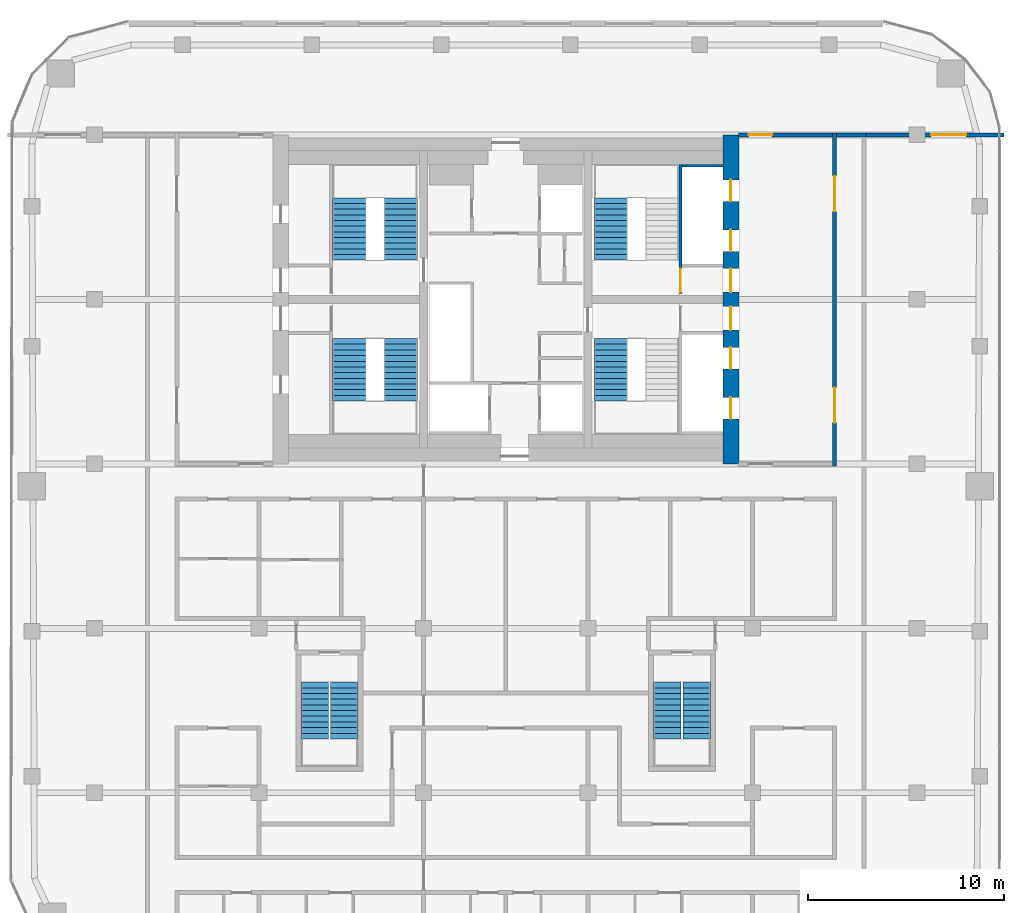
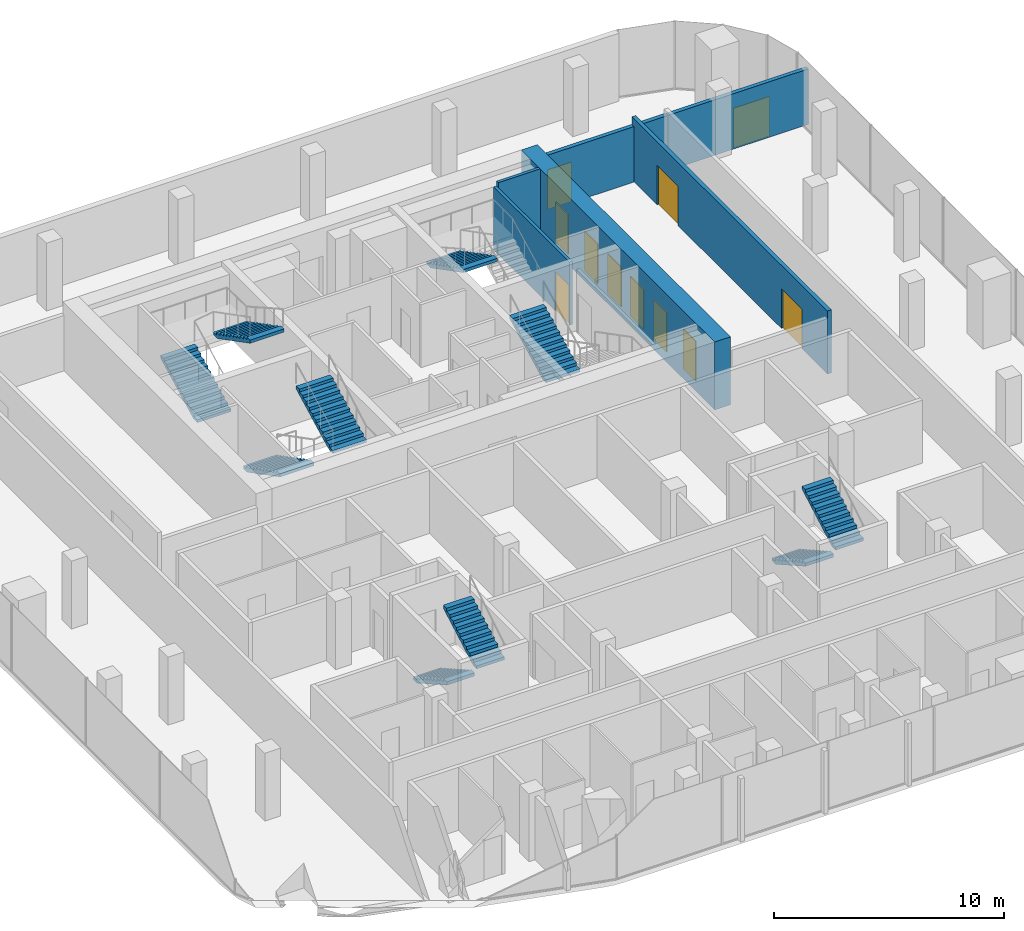
# One storey, part 18 of 20: 11 doors, 10 stair flights, 7 walls, 11 openings, 6 elements without a shape of their own.
"""IFC4 building model written with IfcOpenShell, lengths in metres."""

from ifc_helpers import new_model, si_unit, direction, frame, frame_2d, origin, place, context, subcontext, project, spatial, polyline, rectangle, outline, extrude, material, layer, layer_set, type_object, element, fill, aggregate, save


model = new_model("IFC4")

# Units and contexts
model_context = context("Model", 3, precision=1e-05, world=origin(), true_north=direction((0.0, 1.0)))
body_context = subcontext(model_context, "Body", "Model", "MODEL_VIEW")
ifc_project = project(units=[si_unit("LENGTHUNIT", "METRE"), si_unit("AREAUNIT", "SQUARE_METRE"), si_unit("VOLUMEUNIT", "CUBIC_METRE"), si_unit("PLANEANGLEUNIT", "RADIAN"), si_unit("MASSUNIT", "GRAM", prefix="KILO")], contexts=[model_context])

# Site, building, storey
site_placement = place(None, origin())
site = spatial("IfcSite", under=ifc_project, at=site_placement, CompositionType="ELEMENT")
building_placement = place(site_placement, origin())
building = spatial("IfcBuilding", under=site, at=building_placement, Name="Marenta Gate Hotel Tower", CompositionType="ELEMENT")
storey_placement = place(building_placement, frame((0.0, 0.0, 216.5)))
storey = spatial("IfcBuildingStorey", under=building, at=storey_placement, Name="L50", CompositionType="ELEMENT", Elevation=216.5)

# Wall, openings, doors
ifc_material_1 = material(Name="Concrete blockwork", Category="masonry")
ifc_layer_1 = layer(ifc_material_1, 0.199951171875)
ifc_layer_set_1 = layer_set([ifc_layer_1], Name="Concrete blockwork")
wall_type_1 = type_object("IfcWallType", Name="Core boundary wall 200 REI 180", PredefinedType="PARTITIONING", material=ifc_layer_set_1)
wall_1_placement = place(storey_placement, frame((16.800048828125, -0.10009765625, 0.0), z_axis=(0.0, 0.0, 1.0), x_axis=(0.0, 1.0, 0.0)))
wall_1 = element("IfcWall", 1, at=wall_1_placement, inside=storey, type_object=wall_type_1, Name="L50-CP-BW-E", PredefinedType="PARTITIONING", context=body_context, shape_type="SweptSolid", body=[
    extrude(rectangle(XDim=17.0, YDim=0.199951171875, at=frame_2d((8.5, 0.0))), origin(), (0.0, 0.0, 1.0), 3.340087890625),
])
opening_1_placement = place(wall_1_placement, frame((2.199951171875, 0.0, 0.0)))
opening_1 = element("IfcOpeningElement", 2, at=opening_1_placement, cuts=wall_1, Name="Opening ED-Ea-B", PredefinedType="OPENING", context=body_context, shape_type="SweptSolid", body=[
    extrude(rectangle(XDim=1.800048828125, YDim=2.10009765625, at=frame_2d((0.89990234375, 1.050048828125))), frame((0.0, 0.10009765625, 0.0), z_axis=(0.0, -1.0, 0.0), x_axis=(1.0, 0.0, 0.0)), (0.0, 0.0, 1.0), 0.199951171875),
])
opening_2_placement = place(wall_1_placement, frame((13.0, 0.0, 0.0)))
opening_2 = element("IfcOpeningElement", 3, at=opening_2_placement, cuts=wall_1, Name="Opening ED-Eb-B", PredefinedType="OPENING", context=body_context, shape_type="SweptSolid", body=[
    extrude(rectangle(XDim=1.800048828125, YDim=2.10009765625, at=frame_2d((0.89990234375, 1.050048828125))), frame((0.0, 0.10009765625, 0.0), z_axis=(0.0, -1.0, 0.0), x_axis=(1.0, 0.0, 0.0)), (0.0, 0.0, 1.0), 0.199951171875),
])
ifc_material_2 = material(Name="Steel", Category="steel")
door_type_1 = type_object("IfcDoorType", Name="Core lobby entrance door 1800x2100 EI 60", OperationType="DOUBLE_DOOR_SINGLE_SWING", PredefinedType="DOOR", material=ifc_material_2)
door_1_placement = place(opening_1_placement, origin())
door_1 = element("IfcDoor", 4, at=door_1_placement, inside=storey, type_object=door_type_1, Name="ED-Ea-B", OperationType="DOUBLE_DOOR_SINGLE_SWING", OverallHeight=2.10009765625, OverallWidth=1.800048828125, PredefinedType="DOOR", context=body_context, shape_type="SweptSolid", body=[
    extrude(rectangle(XDim=1.800048828125, YDim=2.10009765625, at=frame_2d((0.89990234375, 1.050048828125))), frame((0.0, 0.02490234375, 0.0), z_axis=(0.0, -1.0, 0.0), x_axis=(1.0, 0.0, 0.0)), (0.0, 0.0, 1.0), 0.050048828125),
])
fill(opening_1, door_1)
door_2_placement = place(opening_2_placement, origin())
door_2 = element("IfcDoor", 5, at=door_2_placement, inside=storey, type_object=door_type_1, Name="ED-Eb-B", OperationType="DOUBLE_DOOR_SINGLE_SWING", OverallHeight=2.10009765625, OverallWidth=1.800048828125, PredefinedType="DOOR", context=body_context, shape_type="SweptSolid", body=[
    extrude(rectangle(XDim=1.800048828125, YDim=2.10009765625, at=frame_2d((0.89990234375, 1.050048828125))), frame((0.0, 0.02490234375, 0.0), z_axis=(0.0, -1.0, 0.0), x_axis=(1.0, 0.0, 0.0)), (0.0, 0.0, 1.0), 0.050048828125),
])
fill(opening_2, door_2)

# Wall, opening, door
wall_2_placement = place(storey_placement, frame((11.89990234375, 16.800048828125, 0.0), z_axis=(0.0, 0.0, 1.0), x_axis=(1.0, 0.0, 0.0)))
wall_2 = element("IfcWall", 6, at=wall_2_placement, inside=storey, type_object=wall_type_1, Name="L50-CP-EW-EN", PredefinedType="PARTITIONING", context=body_context, shape_type="SweptSolid", body=[
    extrude(rectangle(XDim=4.800048828125, YDim=0.199951171875, at=frame_2d((2.39990234375, 0.0))), origin(), (0.0, 0.0, 1.0), 2.93994140625),
])
opening_3_placement = place(wall_2_placement, frame((0.5, 0.0, 0.0)))
opening_3 = element("IfcOpeningElement", 7, at=opening_3_placement, cuts=wall_2, Name="Opening RFD-EN", PredefinedType="OPENING", context=body_context, shape_type="SweptSolid", body=[
    extrude(rectangle(XDim=1.199951171875, YDim=2.10009765625, at=frame_2d((0.60009765625, 1.050048828125))), frame((0.0, 0.10009765625, 0.0), z_axis=(0.0, -1.0, 0.0), x_axis=(1.0, 0.0, 0.0)), (0.0, 0.0, 1.0), 0.199951171875),
])
ifc_material_3 = material(Name="Steel", Category="steel")
door_type_2 = type_object("IfcDoorType", Name="Core lobby door 1200x2100 FD60", OperationType="SINGLE_SWING_LEFT", PredefinedType="DOOR", material=ifc_material_3)
door_3_placement = place(opening_3_placement, origin())
door_3 = element("IfcDoor", 8, at=door_3_placement, inside=storey, type_object=door_type_2, Name="RFD-EN", OperationType="SINGLE_SWING_LEFT", OverallHeight=2.10009765625, OverallWidth=1.199951171875, PredefinedType="DOOR", context=body_context, shape_type="SweptSolid", body=[
    extrude(rectangle(XDim=1.199951171875, YDim=2.10009765625, at=frame_2d((0.60009765625, 1.050048828125))), frame((0.0, 0.02490234375, 0.0), z_axis=(0.0, -1.0, 0.0), x_axis=(1.0, 0.0, 0.0)), (0.0, 0.0, 1.0), 0.050048828125),
])
fill(opening_3, door_3)

# Wall
ifc_material_4 = material(Name="Concrete C40", Category="concrete")
ifc_layer_2 = layer(ifc_material_4, 0.14990234375)
ifc_layer_set_2 = layer_set([ifc_layer_2], Name="Concrete C40")
wall_type_2 = type_object("IfcWallType", Name="Core shaft wall 150 REI 180", PredefinedType="SHEAR", material=ifc_layer_set_2)
wall_3_placement = place(storey_placement, frame((9.0, 15.22509765625, 0.0), z_axis=(0.0, 0.0, 1.0), x_axis=(1.0, 0.0, 0.0)))
element("IfcWall", 9, at=wall_3_placement, inside=storey, type_object=wall_type_2, Name="L50-SHF-SW-EN-5", PredefinedType="SHEAR", context=body_context, shape_type="SweptSolid", body=[
    extrude(rectangle(XDim=2.10009765625, YDim=0.14990234375, at=frame_2d((1.050048828125, 0.0))), origin(), (0.0, 0.0, 1.0), 3.60009765625),
])

# Wall, opening, door
ifc_material_5 = material(Name="Concrete C40", Category="concrete")
ifc_layer_3 = layer(ifc_material_5, 0.14990234375)
ifc_layer_set_3 = layer_set([ifc_layer_3], Name="Concrete C40")
wall_type_3 = type_object("IfcWallType", Name="Core stair enclosure wall 150 REI 180", PredefinedType="SHEAR", material=ifc_layer_set_3)
wall_4_placement = place(storey_placement, frame((8.925048828125, 8.699951171875, 0.0), z_axis=(0.0, 0.0, 1.0), x_axis=(0.0, 1.0, 0.0)))
wall_4 = element("IfcWall", 10, at=wall_4_placement, inside=storey, type_object=wall_type_3, Name="L50-SHF-SW-EN-3", PredefinedType="SHEAR", context=body_context, shape_type="SweptSolid", body=[
    extrude(rectangle(XDim=6.60009765625, YDim=0.14990234375, at=frame_2d((3.300048828125, 0.0))), origin(), (0.0, 0.0, 1.0), 3.340087890625),
])
opening_4_placement = place(wall_4_placement, frame((0.074951171875, 0.0, 0.0)))
opening_4 = element("IfcOpeningElement", 11, at=opening_4_placement, cuts=wall_4, Name="Opening SD-EN", PredefinedType="OPENING", context=body_context, shape_type="SweptSolid", body=[
    extrude(rectangle(XDim=1.199951171875, YDim=2.10009765625, at=frame_2d((0.60009765625, 1.050048828125))), frame((0.0, 0.074951171875, 0.0), z_axis=(0.0, -1.0, 0.0), x_axis=(1.0, 0.0, 0.0)), (0.0, 0.0, 1.0), 0.14990234375),
])
ifc_material_6 = material(Name="Steel", Category="steel")
door_type_3 = type_object("IfcDoorType", Name="Core stair door 1200x2100 FD60", OperationType="SINGLE_SWING_LEFT", PredefinedType="DOOR", material=ifc_material_6)
door_4_placement = place(opening_4_placement, origin())
door_4 = element("IfcDoor", 12, at=door_4_placement, inside=storey, type_object=door_type_3, Name="SD-EN", OperationType="SINGLE_SWING_LEFT", OverallHeight=2.10009765625, OverallWidth=1.199951171875, PredefinedType="DOOR", context=body_context, shape_type="SweptSolid", body=[
    extrude(rectangle(XDim=1.199951171875, YDim=2.10009765625, at=frame_2d((0.60009765625, 1.050048828125))), frame((0.0, 0.02490234375, 0.0), z_axis=(0.0, -1.0, 0.0), x_axis=(1.0, 0.0, 0.0)), (0.0, 0.0, 1.0), 0.050048828125),
])
fill(opening_4, door_4)

# Wall, openings, doors
ifc_material_7 = material(Name="Concrete C60", Category="concrete")
ifc_layer_4 = layer(ifc_material_7, 0.800048828125)
ifc_layer_set_4 = layer_set([ifc_layer_4], Name="Concrete C60")
wall_type_4 = type_object("IfcWallType", Name="Core wall 800 C60", PredefinedType="SHEAR", material=ifc_layer_set_4)
wall_5_placement = place(storey_placement, frame((11.5, 0.0, 0.0), z_axis=(0.0, 0.0, 1.0), x_axis=(0.0, 1.0, 0.0)))
wall_5 = element("IfcWall", 13, at=wall_5_placement, inside=storey, type_object=wall_type_4, Name="L50-CORE-E", PredefinedType="SHEAR", context=body_context, shape_type="SweptSolid", body=[
    extrude(rectangle(XDim=16.800048828125, YDim=0.800048828125, at=frame_2d((8.39990234375, 0.0))), origin(), (0.0, 0.0, 1.0), 3.60009765625),
])
opening_5_placement = place(wall_5_placement, frame((2.300048828125, 0.0, 0.0)))
opening_5 = element("IfcOpeningElement", 14, at=opening_5_placement, cuts=wall_5, Name="Opening LD-HR1", PredefinedType="OPENING", context=body_context, shape_type="SweptSolid", body=[
    extrude(rectangle(XDim=1.10009765625, YDim=2.10009765625, at=frame_2d((0.550048828125, 1.050048828125))), frame((0.0, 0.39990234375, 0.0), z_axis=(0.0, -1.0, 0.0), x_axis=(1.0, 0.0, 0.0)), (0.0, 0.0, 1.0), 0.800048828125),
])
opening_6_placement = place(wall_5_placement, frame((4.85009765625, 0.0, 0.0)))
opening_6 = element("IfcOpeningElement", 15, at=opening_6_placement, cuts=wall_5, Name="Opening LD-HR2", PredefinedType="OPENING", context=body_context, shape_type="SweptSolid", body=[
    extrude(rectangle(XDim=1.10009765625, YDim=2.10009765625, at=frame_2d((0.550048828125, 1.050048828125))), frame((0.0, 0.39990234375, 0.0), z_axis=(0.0, -1.0, 0.0), x_axis=(1.0, 0.0, 0.0)), (0.0, 0.0, 1.0), 0.800048828125),
])
opening_7_placement = place(wall_5_placement, frame((6.824951171875, 0.0, 0.0)))
opening_7 = element("IfcOpeningElement", 16, at=opening_7_placement, cuts=wall_5, Name="Opening PD-ES", PredefinedType="OPENING", context=body_context, shape_type="SweptSolid", body=[
    extrude(rectangle(XDim=1.199951171875, YDim=2.10009765625, at=frame_2d((0.60009765625, 1.050048828125))), frame((0.0, 0.39990234375, 0.0), z_axis=(0.0, -1.0, 0.0), x_axis=(1.0, 0.0, 0.0)), (0.0, 0.0, 1.0), 0.800048828125),
])
opening_8_placement = place(wall_5_placement, frame((13.39990234375, 0.0, 0.0)))
opening_8 = element("IfcOpeningElement", 17, at=opening_8_placement, cuts=wall_5, Name="Opening LD-HR4", PredefinedType="OPENING", context=body_context, shape_type="SweptSolid", body=[
    extrude(rectangle(XDim=1.10009765625, YDim=2.10009765625, at=frame_2d((0.550048828125, 1.050048828125))), frame((0.0, 0.39990234375, 0.0), z_axis=(0.0, -1.0, 0.0), x_axis=(1.0, 0.0, 0.0)), (0.0, 0.0, 1.0), 0.800048828125),
])
opening_9_placement = place(wall_5_placement, frame((10.85009765625, 0.0, 0.0)))
opening_9 = element("IfcOpeningElement", 18, at=opening_9_placement, cuts=wall_5, Name="Opening LD-HR3", PredefinedType="OPENING", context=body_context, shape_type="SweptSolid", body=[
    extrude(rectangle(XDim=1.10009765625, YDim=2.10009765625, at=frame_2d((0.550048828125, 1.050048828125))), frame((0.0, 0.39990234375, 0.0), z_axis=(0.0, -1.0, 0.0), x_axis=(1.0, 0.0, 0.0)), (0.0, 0.0, 1.0), 0.800048828125),
])
opening_10_placement = place(wall_5_placement, frame((8.77490234375, 0.0, 0.0)))
opening_10 = element("IfcOpeningElement", 19, at=opening_10_placement, cuts=wall_5, Name="Opening PD-EN", PredefinedType="OPENING", context=body_context, shape_type="SweptSolid", body=[
    extrude(rectangle(XDim=1.199951171875, YDim=2.10009765625, at=frame_2d((0.60009765625, 1.050048828125))), frame((0.0, 0.39990234375, 0.0), z_axis=(0.0, -1.0, 0.0), x_axis=(1.0, 0.0, 0.0)), (0.0, 0.0, 1.0), 0.800048828125),
])
ifc_material_8 = material(Name="Steel", Category="steel")
door_type_4 = type_object("IfcDoorType", Name="Core lift landing door 1100x2100 E 60", OperationType="SLIDING_TO_LEFT", PredefinedType="DOOR", material=ifc_material_8)
door_5_placement = place(opening_5_placement, origin())
door_5 = element("IfcDoor", 20, at=door_5_placement, inside=storey, type_object=door_type_4, Name="LD-HR1", OperationType="SLIDING_TO_LEFT", OverallHeight=2.10009765625, OverallWidth=1.10009765625, PredefinedType="DOOR", context=body_context, shape_type="SweptSolid", body=[
    extrude(rectangle(XDim=1.10009765625, YDim=2.10009765625, at=frame_2d((0.550048828125, 1.050048828125))), frame((0.0, 0.02490234375, 0.0), z_axis=(0.0, -1.0, 0.0), x_axis=(1.0, 0.0, 0.0)), (0.0, 0.0, 1.0), 0.050048828125),
])
fill(opening_5, door_5)
door_6_placement = place(opening_6_placement, origin())
door_6 = element("IfcDoor", 21, at=door_6_placement, inside=storey, type_object=door_type_4, Name="LD-HR2", OperationType="SLIDING_TO_LEFT", OverallHeight=2.10009765625, OverallWidth=1.10009765625, PredefinedType="DOOR", context=body_context, shape_type="SweptSolid", body=[
    extrude(rectangle(XDim=1.10009765625, YDim=2.10009765625, at=frame_2d((0.550048828125, 1.050048828125))), frame((0.0, 0.02490234375, 0.0), z_axis=(0.0, -1.0, 0.0), x_axis=(1.0, 0.0, 0.0)), (0.0, 0.0, 1.0), 0.050048828125),
])
fill(opening_6, door_6)
door_7_placement = place(opening_8_placement, origin())
door_7 = element("IfcDoor", 22, at=door_7_placement, inside=storey, type_object=door_type_4, Name="LD-HR4", OperationType="SLIDING_TO_LEFT", OverallHeight=2.10009765625, OverallWidth=1.10009765625, PredefinedType="DOOR", context=body_context, shape_type="SweptSolid", body=[
    extrude(rectangle(XDim=1.10009765625, YDim=2.10009765625, at=frame_2d((0.550048828125, 1.050048828125))), frame((0.0, 0.02490234375, 0.0), z_axis=(0.0, -1.0, 0.0), x_axis=(1.0, 0.0, 0.0)), (0.0, 0.0, 1.0), 0.050048828125),
])
fill(opening_8, door_7)
door_8_placement = place(opening_9_placement, origin())
door_8 = element("IfcDoor", 23, at=door_8_placement, inside=storey, type_object=door_type_4, Name="LD-HR3", OperationType="SLIDING_TO_LEFT", OverallHeight=2.10009765625, OverallWidth=1.10009765625, PredefinedType="DOOR", context=body_context, shape_type="SweptSolid", body=[
    extrude(rectangle(XDim=1.10009765625, YDim=2.10009765625, at=frame_2d((0.550048828125, 1.050048828125))), frame((0.0, 0.02490234375, 0.0), z_axis=(0.0, -1.0, 0.0), x_axis=(1.0, 0.0, 0.0)), (0.0, 0.0, 1.0), 0.050048828125),
])
fill(opening_9, door_8)
door_9_placement = place(opening_7_placement, origin())
door_9 = element("IfcDoor", 24, at=door_9_placement, inside=storey, type_object=door_type_2, Name="PD-ES", OperationType="SINGLE_SWING_LEFT", OverallHeight=2.10009765625, OverallWidth=1.199951171875, PredefinedType="DOOR", context=body_context, shape_type="SweptSolid", body=[
    extrude(rectangle(XDim=1.199951171875, YDim=2.10009765625, at=frame_2d((0.60009765625, 1.050048828125))), frame((0.0, 0.02490234375, 0.0), z_axis=(0.0, -1.0, 0.0), x_axis=(1.0, 0.0, 0.0)), (0.0, 0.0, 1.0), 0.050048828125),
])
fill(opening_7, door_9)
door_10_placement = place(opening_10_placement, origin())
door_10 = element("IfcDoor", 25, at=door_10_placement, inside=storey, type_object=door_type_2, Name="PD-EN", OperationType="SINGLE_SWING_LEFT", OverallHeight=2.10009765625, OverallWidth=1.199951171875, PredefinedType="DOOR", context=body_context, shape_type="SweptSolid", body=[
    extrude(rectangle(XDim=1.199951171875, YDim=2.10009765625, at=frame_2d((0.60009765625, 1.050048828125))), frame((0.0, 0.02490234375, 0.0), z_axis=(0.0, -1.0, 0.0), x_axis=(1.0, 0.0, 0.0)), (0.0, 0.0, 1.0), 0.050048828125),
])
fill(opening_10, door_10)

# Wall
ifc_material_9 = material(Name="Concrete blockwork", Category="masonry")
ifc_layer_5 = layer(ifc_material_9, 0.199951171875)
ifc_layer_set_5 = layer_set([ifc_layer_5], Name="Concrete blockwork")
wall_type_5 = type_object("IfcWallType", Name="Room corridor wall 200 REI 180", PredefinedType="PARTITIONING", material=ifc_layer_set_5)
wall_6_placement = place(storey_placement, frame((16.89990234375, 16.800048828125, 0.0), z_axis=(0.0, 0.0, 1.0), x_axis=(1.0, 0.0, 0.0)))
element("IfcWall", 26, at=wall_6_placement, inside=storey, type_object=wall_type_5, Name="L50-PTN-W067", PredefinedType="PARTITIONING", context=body_context, shape_type="SweptSolid", body=[
    extrude(rectangle(XDim=1.5, YDim=0.199951171875, at=frame_2d((0.75, 0.0))), origin(), (0.0, 0.0, 1.0), 2.93994140625),
])

# Wall, opening, door
ifc_material_10 = material(Name="Concrete blockwork", Category="masonry")
ifc_layer_6 = layer(ifc_material_10, 0.199951171875)
ifc_layer_set_6 = layer_set([ifc_layer_6], Name="Concrete blockwork")
wall_type_6 = type_object("IfcWallType", Name="Room party wall 200 REI 180", PredefinedType="PARTITIONING", material=ifc_layer_set_6)
wall_7_placement = place(storey_placement, frame((18.39990234375, 16.800048828125, 0.0), z_axis=(0.0, 0.0, 1.0), x_axis=(1.0, 0.0, 0.0)))
wall_7 = element("IfcWall", 27, at=wall_7_placement, inside=storey, type_object=wall_type_6, Name="L50-PTN-W065", PredefinedType="PARTITIONING", context=body_context, shape_type="SweptSolid", body=[
    extrude(rectangle(XDim=7.047119140625, YDim=0.199951171875, at=frame_2d((3.5234375, 0.0))), origin(), (0.0, 0.0, 1.0), 2.93994140625),
])
opening_11_placement = place(wall_7_placement, frame((3.323974609375, 0.0, 0.0)))
opening_11 = element("IfcOpeningElement", 28, at=opening_11_placement, cuts=wall_7, Name="Opening G18-32", PredefinedType="OPENING", context=body_context, shape_type="SweptSolid", body=[
    extrude(rectangle(XDim=1.800048828125, YDim=2.10009765625, at=frame_2d((0.89990234375, 1.050048828125))), frame((0.0, 0.10009765625, 0.0), z_axis=(0.0, -1.0, 0.0), x_axis=(1.0, 0.0, 0.0)), (0.0, 0.0, 1.0), 0.199951171875),
])
ifc_material_11 = material(Name="Timber door leaf", Category="wood")
door_type_5 = type_object("IfcDoorType", Name="Room amenity door 1800x2100 EI 60", OperationType="DOUBLE_DOOR_SINGLE_SWING", PredefinedType="DOOR", material=ifc_material_11)
door_11_placement = place(opening_11_placement, origin())
door_11 = element("IfcDoor", 29, at=door_11_placement, inside=storey, type_object=door_type_5, Name="L50-PD-D032", OperationType="DOUBLE_DOOR_SINGLE_SWING", OverallHeight=2.10009765625, OverallWidth=1.800048828125, PredefinedType="DOOR", context=body_context, shape_type="SweptSolid", body=[
    extrude(rectangle(XDim=1.800048828125, YDim=2.10009765625, at=frame_2d((0.89990234375, 1.050048828125))), frame((0.0, 0.02490234375, 0.0), z_axis=(0.0, -1.0, 0.0), x_axis=(1.0, 0.0, 0.0)), (0.0, 0.0, 1.0), 0.050048828125),
])
fill(opening_11, door_11)

# Stair, stair flights
ifc_material_12 = material(Name="Concrete C40", Category="concrete")
stair_type_1 = type_object("IfcStairType", Name="Core exit stair 1700 wide", PredefinedType="HALF_TURN_STAIR", material=ifc_material_12)
stair_1_placement = place(storey_placement, origin())
stair_1 = element("IfcStair", 30, at=stair_1_placement, inside=storey, type_object=stair_type_1, Name="Exit stair 1", PredefinedType="HALF_TURN_STAIR")
ifc_material_13 = material(Name="Concrete C40", Category="concrete")
stair_flight_type_1 = type_object("IfcStairFlightType", Name="Core stair flight 1700 riser 150.0 going 290", PredefinedType="STRAIGHT", material=ifc_material_13)
stair_flight_1_placement = place(storey_placement, frame((-8.0, 6.39990234375, 0.0), z_axis=(0.0, 0.0, 1.0), x_axis=(0.0, -1.0, 0.0)))
stair_flight_1 = element("IfcStairFlight", 31, at=stair_flight_1_placement, type_object=stair_flight_type_1, Name="ST1 flight 1", NumberOfRisers=12, NumberOfTreads=11, PredefinedType="STRAIGHT", RiserHeight=0.15, TreadLength=0.29, context=body_context, shape_type="SweptSolid", body=[
    extrude(outline(polyline([(0.0, 0.0), (0.0, 0.14990234375), (0.2900390625, 0.14990234375), (0.2900390625, 0.300048828125), (0.580078125, 0.300048828125), (0.580078125, 0.449951171875), (0.8701171875, 0.449951171875), (0.8701171875, 0.60009765625), (1.159912109375, 0.60009765625), (1.159912109375, 0.75), (1.449951171875, 0.75), (1.449951171875, 0.89990234375), (1.739990234375, 0.89990234375), (1.739990234375, 1.050048828125), (2.030029296875, 1.050048828125), (2.030029296875, 1.199951171875), (2.320068359375, 1.199951171875), (2.320068359375, 1.35009765625), (2.610107421875, 1.35009765625), (2.610107421875, 1.5), (2.89990234375, 1.5), (2.89990234375, 1.64990234375), (3.18994140625, 1.64990234375), (3.18994140625, 1.800048828125), (3.18994140625, 1.481201171875), (0.326171875, 0.0), (0.0, 0.0)])), frame((0.0, 0.85009765625, 0.0), z_axis=(0.0, -1.0, 0.0), x_axis=(1.0, 0.0, 0.0)), (0.0, 0.0, 1.0), 1.699951171875),
])
stair_flight_2_placement = place(storey_placement, frame((-5.35009765625, 3.2099609375, 1.800048828125), z_axis=(0.0, 0.0, 1.0), x_axis=(0.0, 1.0, 0.0)))
stair_flight_2 = element("IfcStairFlight", 32, at=stair_flight_2_placement, type_object=stair_flight_type_1, Name="ST1 flight 2", NumberOfRisers=12, NumberOfTreads=11, PredefinedType="STRAIGHT", RiserHeight=0.15, TreadLength=0.29, context=body_context, shape_type="SweptSolid", body=[
    extrude(outline(polyline([(0.0, 0.0), (0.0, 0.14990234375), (0.2900390625, 0.14990234375), (0.2900390625, 0.300048828125), (0.580078125, 0.300048828125), (0.580078125, 0.449951171875), (0.8701171875, 0.449951171875), (0.8701171875, 0.60009765625), (1.159912109375, 0.60009765625), (1.159912109375, 0.75), (1.449951171875, 0.75), (1.449951171875, 0.89990234375), (1.739990234375, 0.89990234375), (1.739990234375, 1.050048828125), (2.030029296875, 1.050048828125), (2.030029296875, 1.199951171875), (2.320068359375, 1.199951171875), (2.320068359375, 1.35009765625), (2.610107421875, 1.35009765625), (2.610107421875, 1.5), (2.89990234375, 1.5), (2.89990234375, 1.64990234375), (3.18994140625, 1.64990234375), (3.18994140625, 1.800048828125), (3.18994140625, 1.481201171875), (0.326171875, 0.0), (0.0, 0.0)])), frame((0.0, 0.85009765625, 0.0), z_axis=(0.0, -1.0, 0.0), x_axis=(1.0, 0.0, 0.0)), (0.0, 0.0, 1.0), 1.699951171875),
])
aggregate(stair_1, [stair_flight_1, stair_flight_2])

stair_2_placement = place(storey_placement, origin())
stair_2 = element("IfcStair", 33, at=stair_2_placement, inside=storey, type_object=stair_type_1, Name="Exit stair 2", PredefinedType="HALF_TURN_STAIR")
stair_flight_3_placement = place(storey_placement, frame((-8.0, 10.39990234375, 0.0), z_axis=(0.0, 0.0, 1.0), x_axis=(0.0, 1.0, 0.0)))
stair_flight_3 = element("IfcStairFlight", 34, at=stair_flight_3_placement, type_object=stair_flight_type_1, Name="ST2 flight 1", NumberOfRisers=12, NumberOfTreads=11, PredefinedType="STRAIGHT", RiserHeight=0.15, TreadLength=0.29, context=body_context, shape_type="SweptSolid", body=[
    extrude(outline(polyline([(0.0, 0.0), (0.0, 0.14990234375), (0.2900390625, 0.14990234375), (0.2900390625, 0.300048828125), (0.580078125, 0.300048828125), (0.580078125, 0.449951171875), (0.8701171875, 0.449951171875), (0.8701171875, 0.60009765625), (1.159912109375, 0.60009765625), (1.159912109375, 0.75), (1.449951171875, 0.75), (1.449951171875, 0.89990234375), (1.739990234375, 0.89990234375), (1.739990234375, 1.050048828125), (2.030029296875, 1.050048828125), (2.030029296875, 1.199951171875), (2.320068359375, 1.199951171875), (2.320068359375, 1.35009765625), (2.610107421875, 1.35009765625), (2.610107421875, 1.5), (2.89990234375, 1.5), (2.89990234375, 1.64990234375), (3.18994140625, 1.64990234375), (3.18994140625, 1.800048828125), (3.18994140625, 1.481201171875), (0.326171875, 0.0), (0.0, 0.0)])), frame((0.0, 0.85009765625, 0.0), z_axis=(0.0, -1.0, 0.0), x_axis=(1.0, 0.0, 0.0)), (0.0, 0.0, 1.0), 1.699951171875),
])
stair_flight_4_placement = place(storey_placement, frame((-5.35009765625, 13.590087890625, 1.800048828125), z_axis=(0.0, 0.0, 1.0), x_axis=(0.0, -1.0, 0.0)))
stair_flight_4 = element("IfcStairFlight", 35, at=stair_flight_4_placement, type_object=stair_flight_type_1, Name="ST2 flight 2", NumberOfRisers=12, NumberOfTreads=11, PredefinedType="STRAIGHT", RiserHeight=0.15, TreadLength=0.29, context=body_context, shape_type="SweptSolid", body=[
    extrude(outline(polyline([(0.0, 0.0), (0.0, 0.14990234375), (0.2900390625, 0.14990234375), (0.2900390625, 0.300048828125), (0.580078125, 0.300048828125), (0.580078125, 0.449951171875), (0.8701171875, 0.449951171875), (0.8701171875, 0.60009765625), (1.159912109375, 0.60009765625), (1.159912109375, 0.75), (1.449951171875, 0.75), (1.449951171875, 0.89990234375), (1.739990234375, 0.89990234375), (1.739990234375, 1.050048828125), (2.030029296875, 1.050048828125), (2.030029296875, 1.199951171875), (2.320068359375, 1.199951171875), (2.320068359375, 1.35009765625), (2.610107421875, 1.35009765625), (2.610107421875, 1.5), (2.89990234375, 1.5), (2.89990234375, 1.64990234375), (3.18994140625, 1.64990234375), (3.18994140625, 1.800048828125), (3.18994140625, 1.481201171875), (0.326171875, 0.0), (0.0, 0.0)])), frame((0.0, 0.85009765625, 0.0), z_axis=(0.0, -1.0, 0.0), x_axis=(1.0, 0.0, 0.0)), (0.0, 0.0, 1.0), 1.699951171875),
])
aggregate(stair_2, [stair_flight_3, stair_flight_4])

# Stair, stair flight
stair_3_placement = place(storey_placement, origin())
stair_3 = element("IfcStair", 36, at=stair_3_placement, inside=storey, type_object=stair_type_1, Name="Exit stair 3", PredefinedType="HALF_TURN_STAIR")
stair_flight_5_placement = place(storey_placement, frame((5.35009765625, 3.2099609375, 1.800048828125), z_axis=(0.0, 0.0, 1.0), x_axis=(0.0, 1.0, 0.0)))
stair_flight_5 = element("IfcStairFlight", 37, at=stair_flight_5_placement, type_object=stair_flight_type_1, Name="ST3 flight 2", NumberOfRisers=12, NumberOfTreads=11, PredefinedType="STRAIGHT", RiserHeight=0.15, TreadLength=0.29, context=body_context, shape_type="SweptSolid", body=[
    extrude(outline(polyline([(0.0, 0.0), (0.0, 0.14990234375), (0.2900390625, 0.14990234375), (0.2900390625, 0.300048828125), (0.580078125, 0.300048828125), (0.580078125, 0.449951171875), (0.8701171875, 0.449951171875), (0.8701171875, 0.60009765625), (1.159912109375, 0.60009765625), (1.159912109375, 0.75), (1.449951171875, 0.75), (1.449951171875, 0.89990234375), (1.739990234375, 0.89990234375), (1.739990234375, 1.050048828125), (2.030029296875, 1.050048828125), (2.030029296875, 1.199951171875), (2.320068359375, 1.199951171875), (2.320068359375, 1.35009765625), (2.610107421875, 1.35009765625), (2.610107421875, 1.5), (2.89990234375, 1.5), (2.89990234375, 1.64990234375), (3.18994140625, 1.64990234375), (3.18994140625, 1.800048828125), (3.18994140625, 1.481201171875), (0.326171875, 0.0), (0.0, 0.0)])), frame((0.0, 0.85009765625, 0.0), z_axis=(0.0, -1.0, 0.0), x_axis=(1.0, 0.0, 0.0)), (0.0, 0.0, 1.0), 1.699951171875),
])
aggregate(stair_3, [stair_flight_5])

stair_4_placement = place(storey_placement, origin())
stair_4 = element("IfcStair", 38, at=stair_4_placement, inside=storey, type_object=stair_type_1, Name="Exit stair 4", PredefinedType="HALF_TURN_STAIR")
stair_flight_6_placement = place(storey_placement, frame((5.35009765625, 13.590087890625, 1.800048828125), z_axis=(0.0, 0.0, 1.0), x_axis=(0.0, -1.0, 0.0)))
stair_flight_6 = element("IfcStairFlight", 39, at=stair_flight_6_placement, type_object=stair_flight_type_1, Name="ST4 flight 2", NumberOfRisers=12, NumberOfTreads=11, PredefinedType="STRAIGHT", RiserHeight=0.15, TreadLength=0.29, context=body_context, shape_type="SweptSolid", body=[
    extrude(outline(polyline([(0.0, 0.0), (0.0, 0.14990234375), (0.2900390625, 0.14990234375), (0.2900390625, 0.300048828125), (0.580078125, 0.300048828125), (0.580078125, 0.449951171875), (0.8701171875, 0.449951171875), (0.8701171875, 0.60009765625), (1.159912109375, 0.60009765625), (1.159912109375, 0.75), (1.449951171875, 0.75), (1.449951171875, 0.89990234375), (1.739990234375, 0.89990234375), (1.739990234375, 1.050048828125), (2.030029296875, 1.050048828125), (2.030029296875, 1.199951171875), (2.320068359375, 1.199951171875), (2.320068359375, 1.35009765625), (2.610107421875, 1.35009765625), (2.610107421875, 1.5), (2.89990234375, 1.5), (2.89990234375, 1.64990234375), (3.18994140625, 1.64990234375), (3.18994140625, 1.800048828125), (3.18994140625, 1.481201171875), (0.326171875, 0.0), (0.0, 0.0)])), frame((0.0, 0.85009765625, 0.0), z_axis=(0.0, -1.0, 0.0), x_axis=(1.0, 0.0, 0.0)), (0.0, 0.0, 1.0), 1.699951171875),
])
aggregate(stair_4, [stair_flight_6])

# Stair, stair flights
ifc_material_14 = material(Name="Concrete C40", Category="concrete")
stair_type_2 = type_object("IfcStairType", Name="Remote exit stair 1400 wide", PredefinedType="HALF_TURN_STAIR", material=ifc_material_14)
stair_5_placement = place(storey_placement, origin())
stair_5 = element("IfcStair", 40, at=stair_5_placement, inside=storey, type_object=stair_type_2, Name="Exit stair RS-Z3-1", PredefinedType="HALF_TURN_STAIR")
ifc_material_15 = material(Name="Concrete C40", Category="concrete")
stair_flight_type_2 = type_object("IfcStairFlightType", Name="Remote stair flight 1400 riser 163.6 going 290", PredefinedType="STRAIGHT", material=ifc_material_15)
stair_flight_7_placement = place(storey_placement, frame((-9.75, -11.14990234375, 0.0), z_axis=(0.0, 0.0, 1.0), x_axis=(0.0, -1.0, 0.0)))
stair_flight_7 = element("IfcStairFlight", 41, at=stair_flight_7_placement, type_object=stair_flight_type_2, Name="RS-Z3-1 flight 1", NumberOfRisers=11, NumberOfTreads=10, PredefinedType="STRAIGHT", RiserHeight=0.163636, TreadLength=0.29, context=body_context, shape_type="SweptSolid", body=[
    extrude(outline(polyline([(0.0, 0.0), (0.0, 0.16357421875), (0.2900390625, 0.16357421875), (0.2900390625, 0.327392578125), (0.580078125, 0.327392578125), (0.580078125, 0.490966796875), (0.8701171875, 0.490966796875), (0.8701171875, 0.654541015625), (1.159912109375, 0.654541015625), (1.159912109375, 0.818115234375), (1.449951171875, 0.818115234375), (1.449951171875, 0.98193359375), (1.739990234375, 0.98193359375), (1.739990234375, 1.1455078125), (2.030029296875, 1.1455078125), (2.030029296875, 1.30908203125), (2.320068359375, 1.30908203125), (2.320068359375, 1.47265625), (2.610107421875, 1.47265625), (2.610107421875, 1.636474609375), (2.89990234375, 1.636474609375), (2.89990234375, 1.800048828125), (2.89990234375, 1.46435546875), (0.304931640625, 0.0), (0.0, 0.0)])), frame((0.0, 0.699951171875, 0.0), z_axis=(0.0, -1.0, 0.0), x_axis=(1.0, 0.0, 0.0)), (0.0, 0.0, 1.0), 1.39990234375),
])
stair_flight_8_placement = place(storey_placement, frame((-8.25, -14.050048828125, 1.800048828125), z_axis=(0.0, 0.0, 1.0), x_axis=(0.0, 1.0, 0.0)))
stair_flight_8 = element("IfcStairFlight", 42, at=stair_flight_8_placement, type_object=stair_flight_type_2, Name="RS-Z3-1 flight 2", NumberOfRisers=11, NumberOfTreads=10, PredefinedType="STRAIGHT", RiserHeight=0.163636, TreadLength=0.29, context=body_context, shape_type="SweptSolid", body=[
    extrude(outline(polyline([(0.0, 0.0), (0.0, 0.16357421875), (0.2900390625, 0.16357421875), (0.2900390625, 0.327392578125), (0.580078125, 0.327392578125), (0.580078125, 0.490966796875), (0.8701171875, 0.490966796875), (0.8701171875, 0.654541015625), (1.159912109375, 0.654541015625), (1.159912109375, 0.818115234375), (1.449951171875, 0.818115234375), (1.449951171875, 0.98193359375), (1.739990234375, 0.98193359375), (1.739990234375, 1.1455078125), (2.030029296875, 1.1455078125), (2.030029296875, 1.30908203125), (2.320068359375, 1.30908203125), (2.320068359375, 1.47265625), (2.610107421875, 1.47265625), (2.610107421875, 1.636474609375), (2.89990234375, 1.636474609375), (2.89990234375, 1.800048828125), (2.89990234375, 1.46435546875), (0.304931640625, 0.0), (0.0, 0.0)])), frame((0.0, 0.699951171875, 0.0), z_axis=(0.0, -1.0, 0.0), x_axis=(1.0, 0.0, 0.0)), (0.0, 0.0, 1.0), 1.39990234375),
])
aggregate(stair_5, [stair_flight_7, stair_flight_8])

stair_6_placement = place(storey_placement, origin())
stair_6 = element("IfcStair", 43, at=stair_6_placement, inside=storey, type_object=stair_type_2, Name="Exit stair RS-Z3-2", PredefinedType="HALF_TURN_STAIR")
stair_flight_9_placement = place(storey_placement, frame((8.25, -11.14990234375, 0.0), z_axis=(0.0, 0.0, 1.0), x_axis=(0.0, -1.0, 0.0)))
stair_flight_9 = element("IfcStairFlight", 44, at=stair_flight_9_placement, type_object=stair_flight_type_2, Name="RS-Z3-2 flight 1", NumberOfRisers=11, NumberOfTreads=10, PredefinedType="STRAIGHT", RiserHeight=0.163636, TreadLength=0.29, context=body_context, shape_type="SweptSolid", body=[
    extrude(outline(polyline([(0.0, 0.0), (0.0, 0.16357421875), (0.2900390625, 0.16357421875), (0.2900390625, 0.327392578125), (0.580078125, 0.327392578125), (0.580078125, 0.490966796875), (0.8701171875, 0.490966796875), (0.8701171875, 0.654541015625), (1.159912109375, 0.654541015625), (1.159912109375, 0.818115234375), (1.449951171875, 0.818115234375), (1.449951171875, 0.98193359375), (1.739990234375, 0.98193359375), (1.739990234375, 1.1455078125), (2.030029296875, 1.1455078125), (2.030029296875, 1.30908203125), (2.320068359375, 1.30908203125), (2.320068359375, 1.47265625), (2.610107421875, 1.47265625), (2.610107421875, 1.636474609375), (2.89990234375, 1.636474609375), (2.89990234375, 1.800048828125), (2.89990234375, 1.46435546875), (0.304931640625, 0.0), (0.0, 0.0)])), frame((0.0, 0.699951171875, 0.0), z_axis=(0.0, -1.0, 0.0), x_axis=(1.0, 0.0, 0.0)), (0.0, 0.0, 1.0), 1.39990234375),
])
stair_flight_10_placement = place(storey_placement, frame((9.75, -14.050048828125, 1.800048828125), z_axis=(0.0, 0.0, 1.0), x_axis=(0.0, 1.0, 0.0)))
stair_flight_10 = element("IfcStairFlight", 45, at=stair_flight_10_placement, type_object=stair_flight_type_2, Name="RS-Z3-2 flight 2", NumberOfRisers=11, NumberOfTreads=10, PredefinedType="STRAIGHT", RiserHeight=0.163636, TreadLength=0.29, context=body_context, shape_type="SweptSolid", body=[
    extrude(outline(polyline([(0.0, 0.0), (0.0, 0.16357421875), (0.2900390625, 0.16357421875), (0.2900390625, 0.327392578125), (0.580078125, 0.327392578125), (0.580078125, 0.490966796875), (0.8701171875, 0.490966796875), (0.8701171875, 0.654541015625), (1.159912109375, 0.654541015625), (1.159912109375, 0.818115234375), (1.449951171875, 0.818115234375), (1.449951171875, 0.98193359375), (1.739990234375, 0.98193359375), (1.739990234375, 1.1455078125), (2.030029296875, 1.1455078125), (2.030029296875, 1.30908203125), (2.320068359375, 1.30908203125), (2.320068359375, 1.47265625), (2.610107421875, 1.47265625), (2.610107421875, 1.636474609375), (2.89990234375, 1.636474609375), (2.89990234375, 1.800048828125), (2.89990234375, 1.46435546875), (0.304931640625, 0.0), (0.0, 0.0)])), frame((0.0, 0.699951171875, 0.0), z_axis=(0.0, -1.0, 0.0), x_axis=(1.0, 0.0, 0.0)), (0.0, 0.0, 1.0), 1.39990234375),
])
aggregate(stair_6, [stair_flight_9, stair_flight_10])

save(model, "model.ifc")
